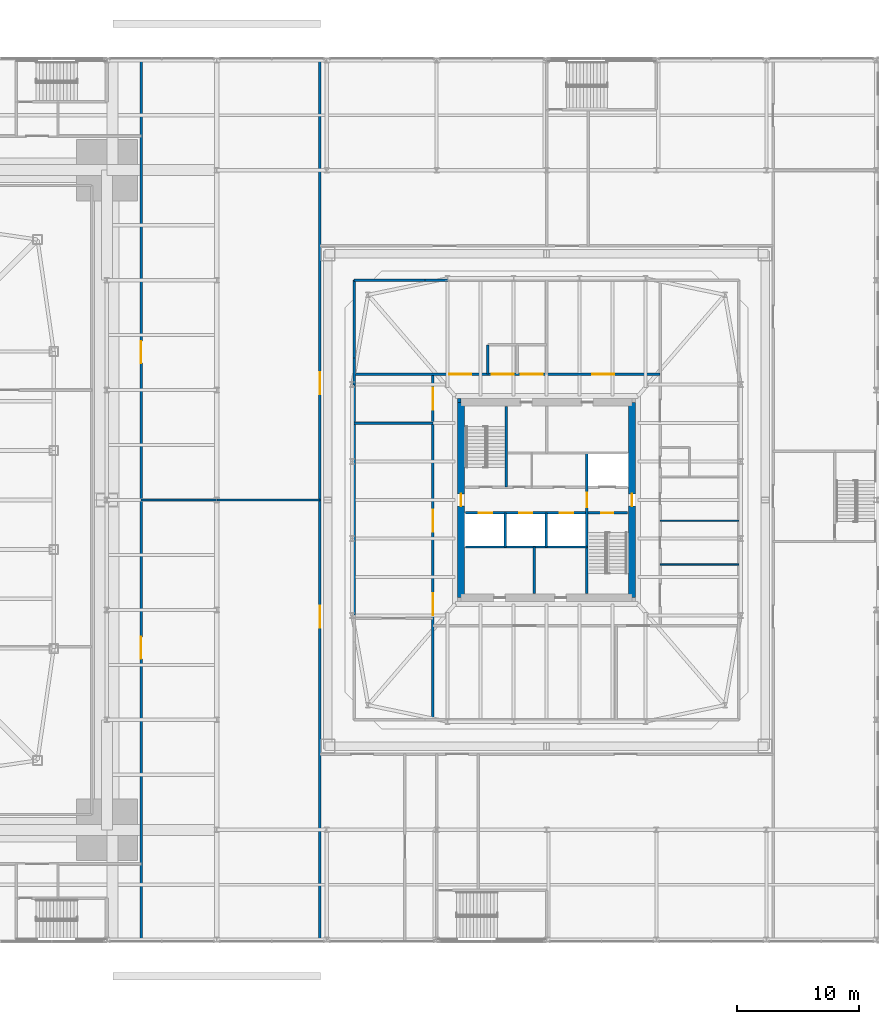
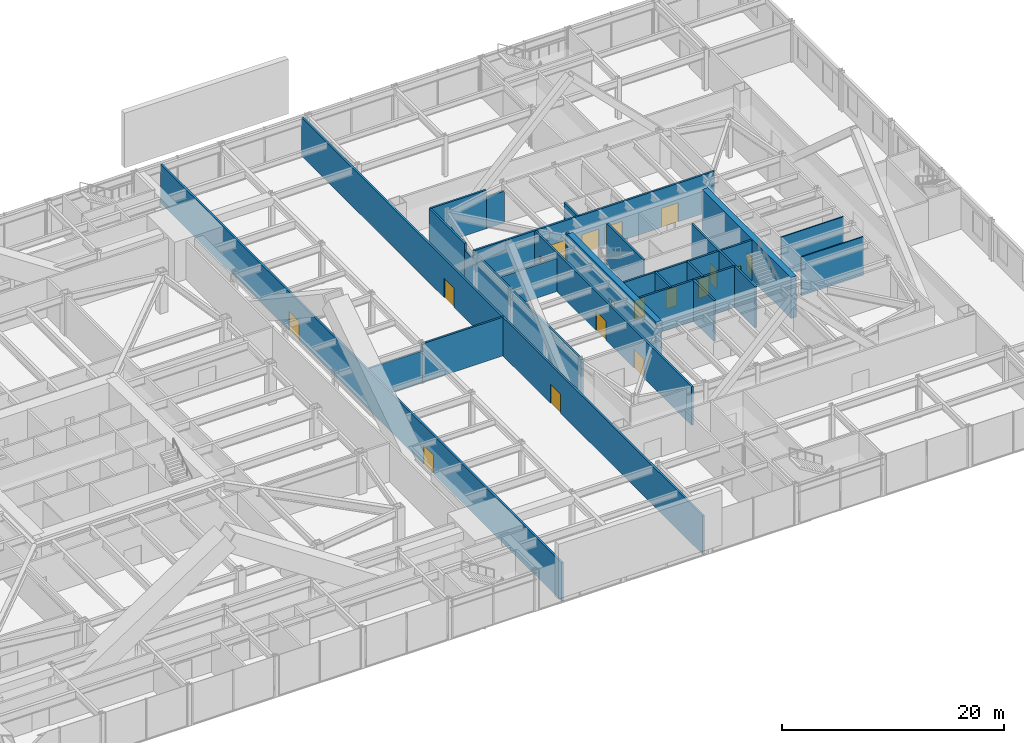
# One storey, part 25 of 32: 25 walls, 18 doors, 18 openings.
"""IFC4 building model written with IfcOpenShell, lengths in metres."""

from ifc_helpers import new_model, si_unit, direction, frame, frame_2d, origin, place, context, subcontext, project, spatial, rectangle, extrude, material, layer, layer_set, type_object, element, fill, save


model = new_model("IFC4")

# Units and contexts
model_context = context("Model", 3, precision=1e-05, world=origin(), true_north=direction((0.0, 1.0)))
body_context = subcontext(model_context, "Body", "Model", "MODEL_VIEW")
ifc_project = project(units=[si_unit("LENGTHUNIT", "METRE"), si_unit("AREAUNIT", "SQUARE_METRE"), si_unit("VOLUMEUNIT", "CUBIC_METRE"), si_unit("PLANEANGLEUNIT", "RADIAN"), si_unit("MASSUNIT", "GRAM", prefix="KILO")], contexts=[model_context])

# Site, building, storey
site_placement = place(None, origin())
site = spatial("IfcSite", under=ifc_project, at=site_placement, CompositionType="ELEMENT")
building_placement = place(site_placement, origin())
building = spatial("IfcBuilding", under=site, at=building_placement, Name="Iwan Alto Co-Living Towers", CompositionType="ELEMENT")
storey_placement = place(building_placement, frame((0.0, 0.0, 6.0)))
storey = spatial("IfcBuildingStorey", under=building, at=storey_placement, Name="L01", CompositionType="ELEMENT", Elevation=6.0)

# Walls
ifc_material_1 = material(Name="Concrete block masonry f*p 10 MPa", Category="masonry")
ifc_layer_1 = layer(ifc_material_1, 0.199951171875)
ifc_layer_set_1 = layer_set([ifc_layer_1], Name="PODIUM INTERNAL WALL 200")
wall_type_1 = type_object("IfcWallType", Name="PODIUM INTERNAL WALL 200", PredefinedType="SOLIDWALL", material=ifc_layer_set_1)
wall_1_placement = place(storey_placement, frame((29.800048828125, 0.0, 0.0), z_axis=(0.0, 0.0, 1.0), x_axis=(1.0, 0.0, 0.0)))
element("IfcWall", 1, at=wall_1_placement, inside=storey, type_object=wall_type_1, Name="Partition L01", PredefinedType="SOLIDWALL", context=body_context, shape_type="SweptSolid", body=[
    extrude(rectangle(XDim=6.199951171875, YDim=0.199951171875, at=frame_2d((3.10009765625, 0.0))), origin(), (0.0, 0.0, 1.0), 3.48046875),
])
wall_2_placement = place(storey_placement, frame((47.25, 6.300048828125, 0.0), z_axis=(0.0, 0.0, 1.0), x_axis=(1.0, 0.0, 0.0)))
element("IfcWall", 2, at=wall_2_placement, inside=storey, type_object=wall_type_1, Name="Partition L01", PredefinedType="SOLIDWALL", context=body_context, shape_type="SweptSolid", body=[
    extrude(rectangle(XDim=6.449951171875, YDim=0.199951171875, at=frame_2d((3.22509765625, 0.0))), origin(), (0.0, 0.0, 1.0), 3.642822265625),
])

# Wall, openings, doors
wall_3_placement = place(storey_placement, frame((47.25, 10.300048828125, 0.0), z_axis=(0.0, 0.0, 1.0), x_axis=(1.0, 0.0, 0.0)))
wall_3 = element("IfcWall", 3, at=wall_3_placement, inside=storey, type_object=wall_type_1, Name="Partition L01", PredefinedType="SOLIDWALL", context=body_context, shape_type="SweptSolid", body=[
    extrude(rectangle(XDim=25.050048828125, YDim=0.199951171875, at=frame_2d((12.52490234375, 0.0))), origin(), (0.0, 0.0, 1.0), 4.25),
])
opening_1_placement = place(wall_3_placement, frame((19.5, 0.0, 0.0)))
opening_1 = element("IfcOpeningElement", 4, at=opening_1_placement, cuts=wall_3, Name="Opening D9", PredefinedType="OPENING", context=body_context, shape_type="SweptSolid", body=[
    extrude(rectangle(XDim=1.800048828125, YDim=2.10009765625, at=frame_2d((0.89990234375, 1.050048828125))), frame((0.0, 0.10986328125, 0.0), z_axis=(0.0, -1.0, 0.0), x_axis=(1.0, 0.0, 0.0)), (0.0, 0.0, 1.0), 0.219970703125),
])
opening_2_placement = place(wall_3_placement, frame((13.64990234375, 0.0, 0.0)))
opening_2 = element("IfcOpeningElement", 5, at=opening_2_placement, cuts=wall_3, Name="Opening D9", PredefinedType="OPENING", context=body_context, shape_type="SweptSolid", body=[
    extrude(rectangle(XDim=1.800048828125, YDim=2.10009765625, at=frame_2d((0.89990234375, 1.050048828125))), frame((0.0, 0.10986328125, 0.0), z_axis=(0.0, -1.0, 0.0), x_axis=(1.0, 0.0, 0.0)), (0.0, 0.0, 1.0), 0.219970703125),
])
opening_3_placement = place(wall_3_placement, frame((11.25, 0.0, 0.0)))
opening_3 = element("IfcOpeningElement", 6, at=opening_3_placement, cuts=wall_3, Name="Opening D9", PredefinedType="OPENING", context=body_context, shape_type="SweptSolid", body=[
    extrude(rectangle(XDim=1.800048828125, YDim=2.10009765625, at=frame_2d((0.89990234375, 1.050048828125))), frame((0.0, 0.10986328125, 0.0), z_axis=(0.0, -1.0, 0.0), x_axis=(1.0, 0.0, 0.0)), (0.0, 0.0, 1.0), 0.219970703125),
])
opening_4_placement = place(wall_3_placement, frame((7.800048828125, 0.0, 0.0)))
opening_4 = element("IfcOpeningElement", 7, at=opening_4_placement, cuts=wall_3, Name="Opening D9", PredefinedType="OPENING", context=body_context, shape_type="SweptSolid", body=[
    extrude(rectangle(XDim=1.800048828125, YDim=2.10009765625, at=frame_2d((0.89990234375, 1.050048828125))), frame((0.0, 0.10986328125, 0.0), z_axis=(0.0, -1.0, 0.0), x_axis=(1.0, 0.0, 0.0)), (0.0, 0.0, 1.0), 0.219970703125),
])
ifc_material_2 = material(Name="Steel frame with timber leaf", Category="steel")
door_type_1 = type_object("IfcDoorType", Name="LOUNGE DOOR FD30S 1800X2100", OperationType="DOUBLE_DOOR_SINGLE_SWING", PredefinedType="DOOR", material=ifc_material_2)
door_1_placement = place(opening_1_placement, origin())
door_1 = element("IfcDoor", 8, at=door_1_placement, inside=storey, type_object=door_type_1, Name="Co-working zone door L01", OperationType="DOUBLE_DOOR_SINGLE_SWING", OverallHeight=2.10009765625, OverallWidth=1.800048828125, PredefinedType="DOOR", context=body_context, shape_type="SweptSolid", body=[
    extrude(rectangle(XDim=1.800048828125, YDim=2.10009765625, at=frame_2d((0.89990234375, 1.050048828125))), frame((0.0, 0.02490234375, 0.0), z_axis=(0.0, -1.0, 0.0), x_axis=(1.0, 0.0, 0.0)), (0.0, 0.0, 1.0), 0.050048828125),
])
fill(opening_1, door_1)
door_2_placement = place(opening_2_placement, origin())
door_2 = element("IfcDoor", 9, at=door_2_placement, inside=storey, type_object=door_type_1, Name="Phone booth door L01", OperationType="DOUBLE_DOOR_SINGLE_SWING", OverallHeight=2.10009765625, OverallWidth=1.800048828125, PredefinedType="DOOR", context=body_context, shape_type="SweptSolid", body=[
    extrude(rectangle(XDim=1.800048828125, YDim=2.10009765625, at=frame_2d((0.89990234375, 1.050048828125))), frame((0.0, 0.02490234375, 0.0), z_axis=(0.0, -1.0, 0.0), x_axis=(1.0, 0.0, 0.0)), (0.0, 0.0, 1.0), 0.050048828125),
])
fill(opening_2, door_2)
door_3_placement = place(opening_3_placement, origin())
door_3 = element("IfcDoor", 10, at=door_3_placement, inside=storey, type_object=door_type_1, Name="Phone booth door L01", OperationType="DOUBLE_DOOR_SINGLE_SWING", OverallHeight=2.10009765625, OverallWidth=1.800048828125, PredefinedType="DOOR", context=body_context, shape_type="SweptSolid", body=[
    extrude(rectangle(XDim=1.800048828125, YDim=2.10009765625, at=frame_2d((0.89990234375, 1.050048828125))), frame((0.0, 0.02490234375, 0.0), z_axis=(0.0, -1.0, 0.0), x_axis=(1.0, 0.0, 0.0)), (0.0, 0.0, 1.0), 0.050048828125),
])
fill(opening_3, door_3)
door_4_placement = place(opening_4_placement, origin())
door_4 = element("IfcDoor", 11, at=door_4_placement, inside=storey, type_object=door_type_1, Name="Training room door L01", OperationType="DOUBLE_DOOR_SINGLE_SWING", OverallHeight=2.10009765625, OverallWidth=1.800048828125, PredefinedType="DOOR", context=body_context, shape_type="SweptSolid", body=[
    extrude(rectangle(XDim=1.800048828125, YDim=2.10009765625, at=frame_2d((0.89990234375, 1.050048828125))), frame((0.0, 0.02490234375, 0.0), z_axis=(0.0, -1.0, 0.0), x_axis=(1.0, 0.0, 0.0)), (0.0, 0.0, 1.0), 0.050048828125),
])
fill(opening_4, door_4)

# Walls
wall_4_placement = place(storey_placement, frame((47.25, 18.0, 0.0), z_axis=(0.0, 0.0, 1.0), x_axis=(1.0, 0.0, 0.0)))
element("IfcWall", 12, at=wall_4_placement, inside=storey, type_object=wall_type_1, Name="Partition L01", PredefinedType="SOLIDWALL", context=body_context, shape_type="SweptSolid", body=[
    extrude(rectangle(XDim=5.79296875, YDim=0.199951171875, at=frame_2d((2.896484375, 0.0))), origin(), (0.0, 0.0, 1.0), 4.25),
])
wall_5_placement = place(storey_placement, frame((58.199951171875, 10.300048828125, 0.0), z_axis=(0.0, 0.0, 1.0), x_axis=(0.0, 1.0, 0.0)))
element("IfcWall", 13, at=wall_5_placement, inside=storey, type_object=wall_type_1, Name="Partition L01", PredefinedType="SOLIDWALL", context=body_context, shape_type="SweptSolid", body=[
    extrude(rectangle(XDim=2.39990234375, YDim=0.199951171875, at=frame_2d((1.199951171875, 0.0))), origin(), (0.0, 0.0, 1.0), 4.25),
])

# Wall, openings, doors
wall_6_placement = place(storey_placement, frame((53.699951171875, -18.0, 0.0), z_axis=(0.0, 0.0, 1.0), x_axis=(0.0, 1.0, 0.0)))
wall_6 = element("IfcWall", 14, at=wall_6_placement, inside=storey, type_object=wall_type_1, Name="Partition L01", PredefinedType="SOLIDWALL", context=body_context, shape_type="SweptSolid", body=[
    extrude(rectangle(XDim=28.300048828125, YDim=0.199951171875, at=frame_2d((14.14990234375, 0.0))), origin(), (0.0, 0.0, 1.0), 4.25),
])
opening_5_placement = place(wall_6_placement, frame((15.39990234375, 0.0, 0.0)))
opening_5 = element("IfcOpeningElement", 15, at=opening_5_placement, cuts=wall_6, Name="Opening D9", PredefinedType="OPENING", context=body_context, shape_type="SweptSolid", body=[
    extrude(rectangle(XDim=1.800048828125, YDim=2.10009765625, at=frame_2d((0.89990234375, 1.050048828125))), frame((0.0, 0.10986328125, 0.0), z_axis=(0.0, -1.0, 0.0), x_axis=(1.0, 0.0, 0.0)), (0.0, 0.0, 1.0), 0.219970703125),
])
opening_6_placement = place(wall_6_placement, frame((25.39990234375, 0.0, 0.0)))
opening_6 = element("IfcOpeningElement", 16, at=opening_6_placement, cuts=wall_6, Name="Opening D9", PredefinedType="OPENING", context=body_context, shape_type="SweptSolid", body=[
    extrude(rectangle(XDim=1.800048828125, YDim=2.10009765625, at=frame_2d((0.89990234375, 1.050048828125))), frame((0.0, 0.10986328125, 0.0), z_axis=(0.0, -1.0, 0.0), x_axis=(1.0, 0.0, 0.0)), (0.0, 0.0, 1.0), 0.219970703125),
])
opening_7_placement = place(wall_6_placement, frame((8.550048828125, 0.0, 0.0)))
opening_7 = element("IfcOpeningElement", 17, at=opening_7_placement, cuts=wall_6, Name="Opening D9", PredefinedType="OPENING", context=body_context, shape_type="SweptSolid", body=[
    extrude(rectangle(XDim=1.800048828125, YDim=2.10009765625, at=frame_2d((0.89990234375, 1.050048828125))), frame((0.0, 0.10986328125, 0.0), z_axis=(0.0, -1.0, 0.0), x_axis=(1.0, 0.0, 0.0)), (0.0, 0.0, 1.0), 0.219970703125),
])
door_5_placement = place(opening_5_placement, origin())
door_5 = element("IfcDoor", 18, at=door_5_placement, inside=storey, type_object=door_type_1, Name="Corridor door L01", OperationType="DOUBLE_DOOR_SINGLE_SWING", OverallHeight=2.10009765625, OverallWidth=1.800048828125, PredefinedType="DOOR", context=body_context, shape_type="SweptSolid", body=[
    extrude(rectangle(XDim=1.800048828125, YDim=2.10009765625, at=frame_2d((0.89990234375, 1.050048828125))), frame((0.0, 0.02490234375, 0.0), z_axis=(0.0, -1.0, 0.0), x_axis=(1.0, 0.0, 0.0)), (0.0, 0.0, 1.0), 0.050048828125),
])
fill(opening_5, door_5)
door_6_placement = place(opening_6_placement, origin())
door_6 = element("IfcDoor", 19, at=door_6_placement, inside=storey, type_object=door_type_1, Name="Print and store room door L01", OperationType="DOUBLE_DOOR_SINGLE_SWING", OverallHeight=2.10009765625, OverallWidth=1.800048828125, PredefinedType="DOOR", context=body_context, shape_type="SweptSolid", body=[
    extrude(rectangle(XDim=1.800048828125, YDim=2.10009765625, at=frame_2d((0.89990234375, 1.050048828125))), frame((0.0, 0.02490234375, 0.0), z_axis=(0.0, -1.0, 0.0), x_axis=(1.0, 0.0, 0.0)), (0.0, 0.0, 1.0), 0.050048828125),
])
fill(opening_6, door_6)
door_7_placement = place(opening_7_placement, origin())
door_7 = element("IfcDoor", 20, at=door_7_placement, inside=storey, type_object=door_type_1, Name="Co-working zone door L01", OperationType="DOUBLE_DOOR_SINGLE_SWING", OverallHeight=2.10009765625, OverallWidth=1.800048828125, PredefinedType="DOOR", context=body_context, shape_type="SweptSolid", body=[
    extrude(rectangle(XDim=1.800048828125, YDim=2.10009765625, at=frame_2d((0.89990234375, 1.050048828125))), frame((0.0, 0.02490234375, 0.0), z_axis=(0.0, -1.0, 0.0), x_axis=(1.0, 0.0, 0.0)), (0.0, 0.0, 1.0), 0.050048828125),
])
fill(opening_7, door_7)

wall_7_placement = place(storey_placement, frame((44.449951171875, -36.050048828125, 0.0), z_axis=(0.0, 0.0, 1.0), x_axis=(0.0, 1.0, 0.0)))
wall_7 = element("IfcWall", 21, at=wall_7_placement, inside=storey, type_object=wall_type_1, Name="Partition L01", PredefinedType="SOLIDWALL", context=body_context, shape_type="SweptSolid", body=[
    extrude(rectangle(XDim=72.10009765625, YDim=0.199951171875, at=frame_2d((36.050048828125, 0.0))), origin(), (0.0, 0.0, 1.0), 4.25),
])
opening_8_placement = place(wall_7_placement, frame((25.60009765625, 0.0, 0.0)))
opening_8 = element("IfcOpeningElement", 22, at=opening_8_placement, cuts=wall_7, Name="Opening D9", PredefinedType="OPENING", context=body_context, shape_type="SweptSolid", body=[
    extrude(rectangle(XDim=1.800048828125, YDim=2.10009765625, at=frame_2d((0.89990234375, 1.050048828125))), frame((0.0, 0.10986328125, 0.0), z_axis=(0.0, -1.0, 0.0), x_axis=(1.0, 0.0, 0.0)), (0.0, 0.0, 1.0), 0.219970703125),
])
opening_9_placement = place(wall_7_placement, frame((44.699951171875, 0.0, 0.0)))
opening_9 = element("IfcOpeningElement", 23, at=opening_9_placement, cuts=wall_7, Name="Opening D9", PredefinedType="OPENING", context=body_context, shape_type="SweptSolid", body=[
    extrude(rectangle(XDim=1.800048828125, YDim=2.10009765625, at=frame_2d((0.89990234375, 1.050048828125))), frame((0.0, 0.10986328125, 0.0), z_axis=(0.0, -1.0, 0.0), x_axis=(1.0, 0.0, 0.0)), (0.0, 0.0, 1.0), 0.219970703125),
])
door_8_placement = place(opening_8_placement, origin())
door_8 = element("IfcDoor", 24, at=door_8_placement, inside=storey, type_object=door_type_1, Name="Library door L01", OperationType="DOUBLE_DOOR_SINGLE_SWING", OverallHeight=2.10009765625, OverallWidth=1.800048828125, PredefinedType="DOOR", context=body_context, shape_type="SweptSolid", body=[
    extrude(rectangle(XDim=1.800048828125, YDim=2.10009765625, at=frame_2d((0.89990234375, 1.050048828125))), frame((0.0, 0.02490234375, 0.0), z_axis=(0.0, -1.0, 0.0), x_axis=(1.0, 0.0, 0.0)), (0.0, 0.0, 1.0), 0.050048828125),
])
fill(opening_8, door_8)
door_9_placement = place(opening_9_placement, origin())
door_9 = element("IfcDoor", 25, at=door_9_placement, inside=storey, type_object=door_type_1, Name="Co-working lounge door L01", OperationType="DOUBLE_DOOR_SINGLE_SWING", OverallHeight=2.10009765625, OverallWidth=1.800048828125, PredefinedType="DOOR", context=body_context, shape_type="SweptSolid", body=[
    extrude(rectangle(XDim=1.800048828125, YDim=2.10009765625, at=frame_2d((0.89990234375, 1.050048828125))), frame((0.0, 0.02490234375, 0.0), z_axis=(0.0, -1.0, 0.0), x_axis=(1.0, 0.0, 0.0)), (0.0, 0.0, 1.0), 0.050048828125),
])
fill(opening_9, door_9)

wall_8_placement = place(storey_placement, frame((29.800048828125, -36.050048828125, 0.0), z_axis=(0.0, 0.0, 1.0), x_axis=(0.0, 1.0, 0.0)))
wall_8 = element("IfcWall", 26, at=wall_8_placement, inside=storey, type_object=wall_type_1, Name="Partition L01", PredefinedType="SOLIDWALL", context=body_context, shape_type="SweptSolid", body=[
    extrude(rectangle(XDim=72.10009765625, YDim=0.199951171875, at=frame_2d((36.050048828125, 0.0))), origin(), (0.0, 0.0, 1.0), 4.25),
])
opening_10_placement = place(wall_8_placement, frame((23.050048828125, 0.0, 0.0)))
opening_10 = element("IfcOpeningElement", 27, at=opening_10_placement, cuts=wall_8, Name="Opening D9", PredefinedType="OPENING", context=body_context, shape_type="SweptSolid", body=[
    extrude(rectangle(XDim=1.800048828125, YDim=2.10009765625, at=frame_2d((0.89990234375, 1.050048828125))), frame((0.0, 0.10986328125, 0.0), z_axis=(0.0, -1.0, 0.0), x_axis=(1.0, 0.0, 0.0)), (0.0, 0.0, 1.0), 0.219970703125),
])
opening_11_placement = place(wall_8_placement, frame((47.25, 0.0, 0.0)))
opening_11 = element("IfcOpeningElement", 28, at=opening_11_placement, cuts=wall_8, Name="Opening D9", PredefinedType="OPENING", context=body_context, shape_type="SweptSolid", body=[
    extrude(rectangle(XDim=1.800048828125, YDim=2.10009765625, at=frame_2d((0.89990234375, 1.050048828125))), frame((0.0, 0.10986328125, 0.0), z_axis=(0.0, -1.0, 0.0), x_axis=(1.0, 0.0, 0.0)), (0.0, 0.0, 1.0), 0.219970703125),
])
door_10_placement = place(opening_10_placement, frame((1.800048828125, 0.0, 0.0), z_axis=(0.0, 0.0, 1.0), x_axis=(-1.0, 0.0, 0.0)))
door_10 = element("IfcDoor", 29, at=door_10_placement, inside=storey, type_object=door_type_1, Name="Library door L01", OperationType="DOUBLE_DOOR_SINGLE_SWING", OverallHeight=2.10009765625, OverallWidth=1.800048828125, PredefinedType="DOOR", context=body_context, shape_type="SweptSolid", body=[
    extrude(rectangle(XDim=1.800048828125, YDim=2.10009765625, at=frame_2d((0.89990234375, 1.050048828125))), frame((0.0, 0.02490234375, 0.0), z_axis=(0.0, -1.0, 0.0), x_axis=(1.0, 0.0, 0.0)), (0.0, 0.0, 1.0), 0.050048828125),
])
fill(opening_10, door_10)
door_11_placement = place(opening_11_placement, frame((1.800048828125, 0.0, 0.0), z_axis=(0.0, 0.0, 1.0), x_axis=(-1.0, 0.0, 0.0)))
door_11 = element("IfcDoor", 30, at=door_11_placement, inside=storey, type_object=door_type_1, Name="Co-working lounge door L01", OperationType="DOUBLE_DOOR_SINGLE_SWING", OverallHeight=2.10009765625, OverallWidth=1.800048828125, PredefinedType="DOOR", context=body_context, shape_type="SweptSolid", body=[
    extrude(rectangle(XDim=1.800048828125, YDim=2.10009765625, at=frame_2d((0.89990234375, 1.050048828125))), frame((0.0, 0.02490234375, 0.0), z_axis=(0.0, -1.0, 0.0), x_axis=(1.0, 0.0, 0.0)), (0.0, 0.0, 1.0), 0.050048828125),
])
fill(opening_11, door_11)

# Walls
wall_9_placement = place(storey_placement, frame((36.0, 0.0, 0.0), z_axis=(0.0, 0.0, 1.0), x_axis=(1.0, 0.0, 0.0)))
element("IfcWall", 31, at=wall_9_placement, inside=storey, type_object=wall_type_1, Name="Partition L01", PredefinedType="SOLIDWALL", context=body_context, shape_type="SweptSolid", body=[
    extrude(rectangle(XDim=8.449951171875, YDim=0.199951171875, at=frame_2d((4.22509765625, 0.0))), origin(), (0.0, 0.0, 1.0), 4.25),
])
wall_10_placement = place(storey_placement, frame((53.04296875, 18.0, 0.0), z_axis=(0.0, 0.0, 1.0), x_axis=(1.0, 0.0, 0.0)))
element("IfcWall", 32, at=wall_10_placement, inside=storey, type_object=wall_type_1, Name="Partition L01", PredefinedType="SOLIDWALL", context=body_context, shape_type="SweptSolid", body=[
    extrude(rectangle(XDim=1.884033203125, YDim=0.199951171875, at=frame_2d((0.94189453125, 0.0))), origin(), (0.0, 0.0, 1.0), 3.488037109375),
])
wall_11_placement = place(storey_placement, frame((47.25, -9.427001953125, 0.0), z_axis=(0.0, 0.0, 1.0), x_axis=(0.0, 1.0, 0.0)))
element("IfcWall", 33, at=wall_11_placement, inside=storey, type_object=wall_type_1, Name="Partition L01", PredefinedType="SOLIDWALL", context=body_context, shape_type="SweptSolid", body=[
    extrude(rectangle(XDim=18.85400390625, YDim=0.199951171875, at=frame_2d((9.427001953125, 0.0))), origin(), (0.0, 0.0, 1.0), 4.25),
])
wall_12_placement = place(storey_placement, frame((47.25, 9.427001953125, 0.0), z_axis=(0.0, 0.0, 1.0), x_axis=(0.0, 1.0, 0.0)))
element("IfcWall", 34, at=wall_12_placement, inside=storey, type_object=wall_type_1, Name="Partition L01", PredefinedType="SOLIDWALL", context=body_context, shape_type="SweptSolid", body=[
    extrude(rectangle(XDim=2.2119140625, YDim=0.199951171875, at=frame_2d((1.10595703125, 0.0))), origin(), (0.0, 0.0, 1.0), 3.488037109375),
])
wall_13_placement = place(storey_placement, frame((47.25, 11.638916015625, 0.0), z_axis=(0.0, 0.0, 1.0), x_axis=(0.0, 1.0, 0.0)))
element("IfcWall", 35, at=wall_13_placement, inside=storey, type_object=wall_type_1, Name="Partition L01", PredefinedType="SOLIDWALL", context=body_context, shape_type="SweptSolid", body=[
    extrude(rectangle(XDim=6.361083984375, YDim=0.199951171875, at=frame_2d((3.1806640625, 0.0))), origin(), (0.0, 0.0, 1.0), 4.25),
])
ifc_material_3 = material(Name="Concrete f'c 70 MPa", Category="concrete")
ifc_layer_2 = layer(ifc_material_3, 0.199951171875)
ifc_layer_set_2 = layer_set([ifc_layer_2], Name="SHAFT WALL 200")
wall_type_2 = type_object("IfcWallType", Name="SHAFT WALL 200", PredefinedType="SOLIDWALL", material=ifc_layer_set_2)
wall_14_placement = place(storey_placement, frame((56.360107421875, -3.85009765625, 0.0), z_axis=(0.0, 0.0, 1.0), x_axis=(1.0, 0.0, 0.0)))
element("IfcWall", 36, at=wall_14_placement, inside=storey, type_object=wall_type_2, Name="Shaft wall L01", PredefinedType="SOLIDWALL", context=body_context, shape_type="SweptSolid", body=[
    extrude(rectangle(XDim=9.93994140625, YDim=0.199951171875, at=frame_2d((4.969970703125, 0.0))), origin(), (0.0, 0.0, 1.0), 4.5),
])

# Wall, openings, doors
wall_15_placement = place(storey_placement, frame((56.360107421875, -1.050048828125, 0.0), z_axis=(0.0, 0.0, 1.0), x_axis=(1.0, 0.0, 0.0)))
wall_15 = element("IfcWall", 37, at=wall_15_placement, inside=storey, type_object=wall_type_2, Name="Shaft wall L01", PredefinedType="SOLIDWALL", context=body_context, shape_type="SweptSolid", body=[
    extrude(rectangle(XDim=13.27978515625, YDim=0.199951171875, at=frame_2d((6.639892578125, 0.0))), origin(), (0.0, 0.0, 1.0), 4.5),
])
opening_12_placement = place(wall_15_placement, frame((11.110107421875, 0.0, 0.0)))
opening_12 = element("IfcOpeningElement", 38, at=opening_12_placement, cuts=wall_15, Name="Opening D5", PredefinedType="OPENING", context=body_context, shape_type="SweptSolid", body=[
    extrude(rectangle(XDim=1.0, YDim=2.10009765625, at=frame_2d((0.5, 1.050048828125))), frame((0.0, 0.10986328125, 0.0), z_axis=(0.0, -1.0, 0.0), x_axis=(1.0, 0.0, 0.0)), (0.0, 0.0, 1.0), 0.219970703125),
])
opening_13_placement = place(wall_15_placement, frame((1.0869140625, 0.0, 0.0)))
opening_13 = element("IfcOpeningElement", 39, at=opening_13_placement, cuts=wall_15, Name="Opening LD", PredefinedType="OPENING", context=body_context, shape_type="SweptSolid", body=[
    extrude(rectangle(XDim=1.10009765625, YDim=2.10009765625, at=frame_2d((0.550048828125, 1.050048828125))), frame((0.0, 0.10986328125, 0.0), z_axis=(0.0, -1.0, 0.0), x_axis=(1.0, 0.0, 0.0)), (0.0, 0.0, 1.0), 0.219970703125),
])
opening_14_placement = place(wall_15_placement, frame((4.389892578125, 0.0, 0.0)))
opening_14 = element("IfcOpeningElement", 40, at=opening_14_placement, cuts=wall_15, Name="Opening LD", PredefinedType="OPENING", context=body_context, shape_type="SweptSolid", body=[
    extrude(rectangle(XDim=1.10009765625, YDim=2.10009765625, at=frame_2d((0.550048828125, 1.050048828125))), frame((0.0, 0.10986328125, 0.0), z_axis=(0.0, -1.0, 0.0), x_axis=(1.0, 0.0, 0.0)), (0.0, 0.0, 1.0), 0.219970703125),
])
opening_15_placement = place(wall_15_placement, frame((7.72412109375, 0.0, 0.0)))
opening_15 = element("IfcOpeningElement", 41, at=opening_15_placement, cuts=wall_15, Name="Opening LD", PredefinedType="OPENING", context=body_context, shape_type="SweptSolid", body=[
    extrude(rectangle(XDim=1.10009765625, YDim=2.10009765625, at=frame_2d((0.550048828125, 1.050048828125))), frame((0.0, 0.10986328125, 0.0), z_axis=(0.0, -1.0, 0.0), x_axis=(1.0, 0.0, 0.0)), (0.0, 0.0, 1.0), 0.219970703125),
])
ifc_material_4 = material(Name="Steel frame with timber leaf", Category="steel")
door_type_2 = type_object("IfcDoorType", Name="LIFT LANDING DOOR 1100X2100", OperationType="DOUBLE_DOOR_SLIDING", PredefinedType="DOOR", material=ifc_material_4)
door_12_placement = place(opening_13_placement, origin())
door_12 = element("IfcDoor", 42, at=door_12_placement, inside=storey, type_object=door_type_2, Name="Lift P5-1 landing door L01", OperationType="DOUBLE_DOOR_SLIDING", OverallHeight=2.10009765625, OverallWidth=1.10009765625, PredefinedType="DOOR", context=body_context, shape_type="SweptSolid", body=[
    extrude(rectangle(XDim=1.10009765625, YDim=2.10009765625, at=frame_2d((0.550048828125, 1.050048828125))), frame((0.0, 0.02490234375, 0.0), z_axis=(0.0, -1.0, 0.0), x_axis=(1.0, 0.0, 0.0)), (0.0, 0.0, 1.0), 0.050048828125),
])
fill(opening_13, door_12)
door_13_placement = place(opening_14_placement, origin())
door_13 = element("IfcDoor", 43, at=door_13_placement, inside=storey, type_object=door_type_2, Name="Lift P5-2 landing door L01", OperationType="DOUBLE_DOOR_SLIDING", OverallHeight=2.10009765625, OverallWidth=1.10009765625, PredefinedType="DOOR", context=body_context, shape_type="SweptSolid", body=[
    extrude(rectangle(XDim=1.10009765625, YDim=2.10009765625, at=frame_2d((0.550048828125, 1.050048828125))), frame((0.0, 0.02490234375, 0.0), z_axis=(0.0, -1.0, 0.0), x_axis=(1.0, 0.0, 0.0)), (0.0, 0.0, 1.0), 0.050048828125),
])
fill(opening_14, door_13)
door_14_placement = place(opening_15_placement, origin())
door_14 = element("IfcDoor", 44, at=door_14_placement, inside=storey, type_object=door_type_2, Name="Lift P6-3 landing door L01", OperationType="DOUBLE_DOOR_SLIDING", OverallHeight=2.10009765625, OverallWidth=1.10009765625, PredefinedType="DOOR", context=body_context, shape_type="SweptSolid", body=[
    extrude(rectangle(XDim=1.10009765625, YDim=2.10009765625, at=frame_2d((0.550048828125, 1.050048828125))), frame((0.0, 0.02490234375, 0.0), z_axis=(0.0, -1.0, 0.0), x_axis=(1.0, 0.0, 0.0)), (0.0, 0.0, 1.0), 0.050048828125),
])
fill(opening_15, door_14)
ifc_material_5 = material(Name="Steel frame with timber leaf", Category="steel")
door_type_3 = type_object("IfcDoorType", Name="STAIR DOOR FD120S 1000X2100", OperationType="SINGLE_SWING_LEFT", PredefinedType="DOOR", material=ifc_material_5)
door_15_placement = place(opening_12_placement, frame((1.0, 0.0, 0.0), z_axis=(0.0, 0.0, 1.0), x_axis=(-1.0, 0.0, 0.0)))
door_15 = element("IfcDoor", 45, at=door_15_placement, inside=storey, type_object=door_type_3, Name="Stair S2 door L01", OperationType="SINGLE_SWING_RIGHT", OverallHeight=2.10009765625, OverallWidth=1.0, PredefinedType="DOOR", context=body_context, shape_type="SweptSolid", body=[
    extrude(rectangle(XDim=1.0, YDim=2.10009765625, at=frame_2d((0.5, 1.050048828125))), frame((0.0, 0.02490234375, 0.0), z_axis=(0.0, -1.0, 0.0), x_axis=(1.0, 0.0, 0.0)), (0.0, 0.0, 1.0), 0.050048828125),
])
fill(opening_12, door_15)

# Wall, opening, door
wall_16_placement = place(storey_placement, frame((66.300048828125, -7.639892578125, 0.0), z_axis=(0.0, 0.0, 1.0), x_axis=(0.0, 1.0, 0.0)))
wall_16 = element("IfcWall", 46, at=wall_16_placement, inside=storey, type_object=wall_type_2, Name="Shaft wall L01", PredefinedType="SOLIDWALL", context=body_context, shape_type="SweptSolid", body=[
    extrude(rectangle(XDim=11.489990234375, YDim=0.199951171875, at=frame_2d((5.7451171875, 0.0))), origin(), (0.0, 0.0, 1.0), 4.5),
])
opening_16_placement = place(wall_16_placement, frame((7.0400390625, 0.0, 0.0)))
opening_16 = element("IfcOpeningElement", 47, at=opening_16_placement, cuts=wall_16, Name="Opening D6", PredefinedType="OPENING", context=body_context, shape_type="SweptSolid", body=[
    extrude(rectangle(XDim=1.199951171875, YDim=2.10009765625, at=frame_2d((0.60009765625, 1.050048828125))), frame((0.0, 0.10986328125, 0.0), z_axis=(0.0, -1.0, 0.0), x_axis=(1.0, 0.0, 0.0)), (0.0, 0.0, 1.0), 0.219970703125),
])
ifc_material_6 = material(Name="Steel frame with timber leaf", Category="steel")
door_type_4 = type_object("IfcDoorType", Name="LOBBY DOOR FD120S 1200X2100", OperationType="SINGLE_SWING_LEFT", PredefinedType="DOOR", material=ifc_material_6)
door_16_placement = place(opening_16_placement, frame((1.199951171875, 0.0, 0.0), z_axis=(0.0, 0.0, 1.0), x_axis=(-1.0, 0.0, 0.0)))
door_16 = element("IfcDoor", 48, at=door_16_placement, inside=storey, type_object=door_type_4, Name="Firefighting lobby door L01", OperationType="SINGLE_SWING_RIGHT", OverallHeight=2.10009765625, OverallWidth=1.199951171875, PredefinedType="DOOR", context=body_context, shape_type="SweptSolid", body=[
    extrude(rectangle(XDim=1.199951171875, YDim=2.10009765625, at=frame_2d((0.60009765625, 1.050048828125))), frame((0.0, 0.02490234375, 0.0), z_axis=(0.0, -1.0, 0.0), x_axis=(1.0, 0.0, 0.0)), (0.0, 0.0, 1.0), 0.050048828125),
])
fill(opening_16, door_16)

# Walls
wall_17_placement = place(storey_placement, frame((62.967041015625, -3.85009765625, 0.0), z_axis=(0.0, 0.0, 1.0), x_axis=(0.0, 1.0, 0.0)))
element("IfcWall", 49, at=wall_17_placement, inside=storey, type_object=wall_type_2, Name="Shaft wall L01", PredefinedType="SOLIDWALL", context=body_context, shape_type="SweptSolid", body=[
    extrude(rectangle(XDim=2.800048828125, YDim=0.199951171875, at=frame_2d((1.39990234375, 0.0))), origin(), (0.0, 0.0, 1.0), 4.5),
])
wall_18_placement = place(storey_placement, frame((62.0, -7.639892578125, 0.0), z_axis=(0.0, 0.0, 1.0), x_axis=(0.0, 1.0, 0.0)))
element("IfcWall", 50, at=wall_18_placement, inside=storey, type_object=wall_type_2, Name="Shaft wall L01", PredefinedType="SOLIDWALL", context=body_context, shape_type="SweptSolid", body=[
    extrude(rectangle(XDim=3.789794921875, YDim=0.199951171875, at=frame_2d((1.89501953125, 0.0))), origin(), (0.0, 0.0, 1.0), 4.5),
])
wall_19_placement = place(storey_placement, frame((59.699951171875, 1.050048828125, 0.0), z_axis=(0.0, 0.0, 1.0), x_axis=(0.0, 1.0, 0.0)))
element("IfcWall", 51, at=wall_19_placement, inside=storey, type_object=wall_type_2, Name="Shaft wall L01", PredefinedType="SOLIDWALL", context=body_context, shape_type="SweptSolid", body=[
    extrude(rectangle(XDim=6.58984375, YDim=0.199951171875, at=frame_2d((3.294921875, 0.0))), origin(), (0.0, 0.0, 1.0), 4.5),
])
wall_20_placement = place(storey_placement, frame((59.633056640625, -3.85009765625, 0.0), z_axis=(0.0, 0.0, 1.0), x_axis=(0.0, 1.0, 0.0)))
element("IfcWall", 52, at=wall_20_placement, inside=storey, type_object=wall_type_2, Name="Shaft wall L01", PredefinedType="SOLIDWALL", context=body_context, shape_type="SweptSolid", body=[
    extrude(rectangle(XDim=2.800048828125, YDim=0.199951171875, at=frame_2d((1.39990234375, 0.0))), origin(), (0.0, 0.0, 1.0), 4.5),
])
ifc_material_7 = material(Name="Concrete f'c 70 MPa", Category="concrete")
ifc_layer_3 = layer(ifc_material_7, 0.300048828125)
ifc_layer_set_3 = layer_set([ifc_layer_3], Name="T2 CORE CORNER FILL 300")
wall_type_3 = type_object("IfcWallType", Name="T2 CORE CORNER FILL 300", PredefinedType="SOLIDWALL", material=ifc_layer_set_3)
wall_21_placement = place(storey_placement, frame((55.699951171875, 8.14990234375, 0.0), z_axis=(0.0, 0.0, 1.0), x_axis=(1.0, 0.0, 0.0)))
element("IfcWall", 53, at=wall_21_placement, inside=storey, type_object=wall_type_3, Name="T2 core corner NW L01", PredefinedType="SOLIDWALL", context=body_context, shape_type="SweptSolid", body=[
    extrude(rectangle(XDim=0.300048828125, YDim=0.300048828125, at=frame_2d((0.14990234375, 0.0))), origin(), (0.0, 0.0, 1.0), 4.5),
])

# Wall, opening, door
ifc_material_8 = material(Name="Concrete f'c 70 MPa", Category="concrete")
ifc_layer_4 = layer(ifc_material_8, 0.60009765625)
ifc_layer_set_4 = layer_set([ifc_layer_4], Name="T2 CORE WALL 600")
wall_type_4 = type_object("IfcWallType", Name="T2 CORE WALL 600", PredefinedType="SHEAR", material=ifc_layer_set_4)
wall_22_placement = place(storey_placement, frame((70.0, -8.0, 0.0), z_axis=(0.0, 0.0, 1.0), x_axis=(0.0, 1.0, 0.0)))
wall_22 = element("IfcWall", 54, at=wall_22_placement, inside=storey, type_object=wall_type_4, Name="T2 core wall E L01", PredefinedType="SHEAR", context=body_context, shape_type="SweptSolid", body=[
    extrude(rectangle(XDim=16.0, YDim=0.60009765625, at=frame_2d((8.0, 0.0))), origin(), (0.0, 0.0, 1.0), 4.5),
])
opening_17_placement = place(wall_22_placement, frame((7.5, 0.0, 0.0)))
opening_17 = element("IfcOpeningElement", 55, at=opening_17_placement, cuts=wall_22, Name="Opening D7", PredefinedType="OPENING", context=body_context, shape_type="SweptSolid", body=[
    extrude(rectangle(XDim=1.0, YDim=2.10009765625, at=frame_2d((0.5, 1.050048828125))), frame((0.0, 0.31005859375, 0.0), z_axis=(0.0, -1.0, 0.0), x_axis=(1.0, 0.0, 0.0)), (0.0, 0.0, 1.0), 0.6201171875),
])
ifc_material_9 = material(Name="Steel frame with timber leaf", Category="steel")
door_type_5 = type_object("IfcDoorType", Name="CORE DOOR FD120S 1000X2100", OperationType="SINGLE_SWING_LEFT", PredefinedType="DOOR", material=ifc_material_9)
door_17_placement = place(opening_17_placement, origin())
door_17 = element("IfcDoor", 56, at=door_17_placement, inside=storey, type_object=door_type_5, Name="Firefighting lobby core door L01", OperationType="SINGLE_SWING_LEFT", OverallHeight=2.10009765625, OverallWidth=1.0, PredefinedType="DOOR", context=body_context, shape_type="SweptSolid", body=[
    extrude(rectangle(XDim=1.0, YDim=2.10009765625, at=frame_2d((0.5, 1.050048828125))), frame((0.0, 0.02490234375, 0.0), z_axis=(0.0, -1.0, 0.0), x_axis=(1.0, 0.0, 0.0)), (0.0, 0.0, 1.0), 0.050048828125),
])
fill(opening_17, door_17)

wall_23_placement = place(storey_placement, frame((56.0, 8.0, 0.0), z_axis=(0.0, 0.0, 1.0), x_axis=(0.0, -1.0, 0.0)))
wall_23 = element("IfcWall", 57, at=wall_23_placement, inside=storey, type_object=wall_type_4, Name="T2 core wall W L01", PredefinedType="SHEAR", context=body_context, shape_type="SweptSolid", body=[
    extrude(rectangle(XDim=16.0, YDim=0.60009765625, at=frame_2d((8.0, 0.0))), origin(), (0.0, 0.0, 1.0), 4.5),
])
opening_18_placement = place(wall_23_placement, frame((7.5, 0.0, 0.0)))
opening_18 = element("IfcOpeningElement", 58, at=opening_18_placement, cuts=wall_23, Name="Opening D7", PredefinedType="OPENING", context=body_context, shape_type="SweptSolid", body=[
    extrude(rectangle(XDim=1.0, YDim=2.10009765625, at=frame_2d((0.5, 1.050048828125))), frame((0.0, 0.31005859375, 0.0), z_axis=(0.0, -1.0, 0.0), x_axis=(1.0, 0.0, 0.0)), (0.0, 0.0, 1.0), 0.6201171875),
])
door_18_placement = place(opening_18_placement, origin())
door_18 = element("IfcDoor", 59, at=door_18_placement, inside=storey, type_object=door_type_5, Name="Lift lobby core door L01", OperationType="SINGLE_SWING_RIGHT", OverallHeight=2.10009765625, OverallWidth=1.0, PredefinedType="DOOR", context=body_context, shape_type="SweptSolid", body=[
    extrude(rectangle(XDim=1.0, YDim=2.10009765625, at=frame_2d((0.5, 1.050048828125))), frame((0.0, 0.02490234375, 0.0), z_axis=(0.0, -1.0, 0.0), x_axis=(1.0, 0.0, 0.0)), (0.0, 0.0, 1.0), 0.050048828125),
])
fill(opening_18, door_18)

# Walls
ifc_material_10 = material(Name="Cement board")
ifc_layer_5 = layer(ifc_material_10, 0.012451171875, Name="Board", Category="Finish")
ifc_material_11 = material(Name="Steel ASTM A1003 ST33H cold-formed studs", Category="steel")
ifc_layer_6 = layer(ifc_material_11, 0.094970703125, Name="Studs", Category="Framing")
ifc_layer_7 = layer(ifc_material_10, 0.012451171875, Name="Board", Category="Finish")
ifc_layer_set_5 = layer_set([ifc_layer_5, ifc_layer_6, ifc_layer_7], Name="WET AREA PARTITION 120")
wall_type_5 = type_object("IfcWallType", Name="WET AREA PARTITION 120", PredefinedType="PARTITIONING", material=ifc_layer_set_5)
for number, where, z_axis, x_axis, name in (
    (60, (72.300048828125, -5.300048828125, 0.0), (0.0, 0.0, 1.0), (1.0, 0.0, 0.0), "Partition L01"),
    (61, (72.300048828125, -1.699951171875, 0.0), (0.0, 0.0, 1.0), (1.0, 0.0, 0.0), "Partition L01"),
):
    element("IfcWall", number, at=place(storey_placement, frame(where, z_axis=z_axis, x_axis=x_axis)), inside=storey, type_object=wall_type_5, Name=name, PredefinedType="PARTITIONING", context=body_context, shape_type="SweptSolid", body=[
        extrude(rectangle(XDim=6.449951171875, YDim=0.1201171875, at=frame_2d((3.22509765625, 0.0))), origin(), (0.0, 0.0, 1.0), 4.25),
    ])

save(model, "model.ifc")
